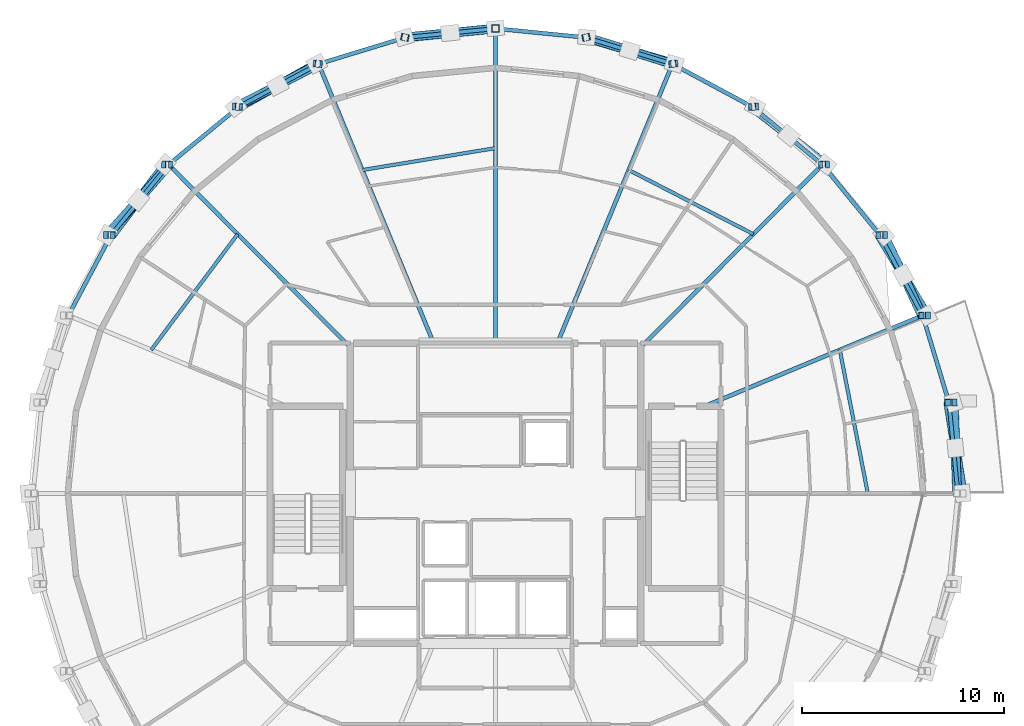
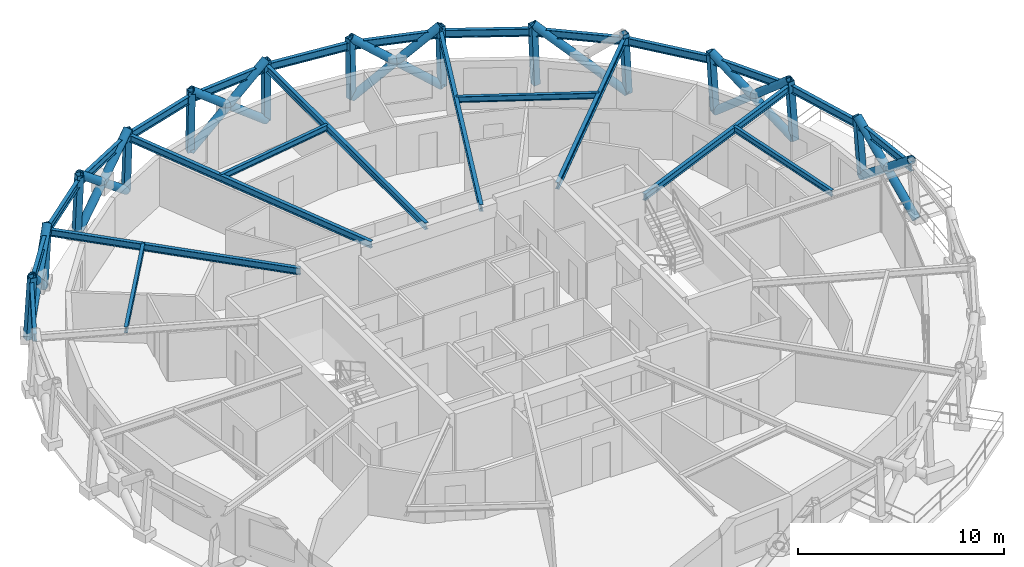
# One storey, part 5 of 12: 32 members, 24 beams.
"""IFC4 building model written with IfcOpenShell, lengths in metres."""

from ifc_helpers import new_model, si_unit, direction, frame, origin, origin_2d, place, context, subcontext, project, spatial, hollow_rectangle, hollow_circle, i_section, extrude, material, material_profile, profile_set, type_object, element, save


model = new_model("IFC4")

# Units and contexts
model_context = context("Model", 3, precision=1e-05, world=origin(), true_north=direction((0.0, 1.0)))
body_context = subcontext(model_context, "Body", "Model", "MODEL_VIEW")
ifc_project = project(units=[si_unit("LENGTHUNIT", "METRE"), si_unit("AREAUNIT", "SQUARE_METRE"), si_unit("VOLUMEUNIT", "CUBIC_METRE"), si_unit("PLANEANGLEUNIT", "RADIAN"), si_unit("MASSUNIT", "GRAM", prefix="KILO")], contexts=[model_context])

# Site, building, storey
site_placement = place(None, origin())
site = spatial("IfcSite", under=ifc_project, at=site_placement, CompositionType="ELEMENT")
building_placement = place(site_placement, origin())
building = spatial("IfcBuilding", under=site, at=building_placement, Name="Veldorina Hangang Commons", CompositionType="ELEMENT")
storey_placement = place(building_placement, frame((0.0, 0.0, 247.199951171875)))
storey = spatial("IfcBuildingStorey", under=building, at=storey_placement, Name="L64", CompositionType="ELEMENT", Elevation=247.199951171875)

# Beams
ifc_material = material(Name="Steel SM355-TMC", Category="steel")
ifc_material_profile_1 = material_profile(ifc_material, i_section(OverallWidth=0.199951171875, OverallDepth=0.39990234375, WebThickness=0.008056640625, FlangeThickness=0.012939453125, FilletRadius=0.012939453125, at=origin_2d()), Name="H-400x200x8x13")
ifc_profile_set_1 = profile_set([ifc_material_profile_1], Name="Steel SM355-TMC")
beam_type_1 = type_object("IfcBeamType", Name="BM-FG400", PredefinedType="BEAM", material=ifc_profile_set_1)
beam_1_placement = place(storey_placement, frame((42.375732421875, 28.320068359375, 3.16015625), z_axis=(0.923178591009, 0.384371290685, 0.0), x_axis=(-0.384371290685, 0.923178591009, 0.0)))
element("IfcBeam", 1, at=beam_1_placement, inside=storey, type_object=beam_type_1, Name="L64 radial floor girder 02", PredefinedType="BEAM", context=body_context, shape_type="SweptSolid", body=[
    extrude(i_section(OverallWidth=0.199951171875, OverallDepth=0.39990234375, WebThickness=0.008056640625, FlangeThickness=0.012939453125, FilletRadius=0.012939453125, at=origin_2d()), origin(), (0.0, 0.0, 1.0), 11.71875),
])
beam_2_placement = place(storey_placement, frame((39.199951171875, 31.2373046875, 3.16015625), z_axis=(0.705281678019, 0.708927185718, 0.0), x_axis=(-0.708927185718, 0.705281678019, 0.0)))
element("IfcBeam", 2, at=beam_2_placement, inside=storey, type_object=beam_type_1, Name="L64 radial floor girder 03", PredefinedType="BEAM", context=body_context, shape_type="SweptSolid", body=[
    extrude(i_section(OverallWidth=0.199951171875, OverallDepth=0.39990234375, WebThickness=0.008056640625, FlangeThickness=0.012939453125, FilletRadius=0.012939453125, at=origin_2d()), origin(), (0.0, 0.0, 1.0), 12.791259765625),
])
beam_3_placement = place(storey_placement, frame((35.070068359375, 31.449951171875, 3.16015625), z_axis=(0.381006292102, 0.924572444635, 0.0), x_axis=(-0.924572444635, 0.381006292102, 0.0)))
element("IfcBeam", 3, at=beam_3_placement, inside=storey, type_object=beam_type_1, Name="L64 radial floor girder 04", PredefinedType="BEAM", context=body_context, shape_type="SweptSolid", body=[
    extrude(i_section(OverallWidth=0.199951171875, OverallDepth=0.39990234375, WebThickness=0.008056640625, FlangeThickness=0.012939453125, FilletRadius=0.012939453125, at=origin_2d()), origin(), (0.0, 0.0, 1.0), 14.98388671875),
])
beam_4_placement = place(storey_placement, frame((32.0, 31.449951171875, 3.16015625), z_axis=(0.0, 1.0, 0.0), x_axis=(-1.0, 0.0, 0.0)))
element("IfcBeam", 4, at=beam_4_placement, inside=storey, type_object=beam_type_1, Name="L64 radial floor girder 05", PredefinedType="BEAM", context=body_context, shape_type="SweptSolid", body=[
    extrude(i_section(OverallWidth=0.199951171875, OverallDepth=0.39990234375, WebThickness=0.008056640625, FlangeThickness=0.012939453125, FilletRadius=0.012939453125, at=origin_2d()), origin(), (0.0, 0.0, 1.0), 15.609130859375),
])
beam_5_placement = place(storey_placement, frame((28.929931640625, 31.449951171875, 3.16015625), z_axis=(-0.381006292102, 0.924572444635, 0.0), x_axis=(-0.924572444635, -0.381006292102, 0.0)))
element("IfcBeam", 5, at=beam_5_placement, inside=storey, type_object=beam_type_1, Name="L64 radial floor girder 06", PredefinedType="BEAM", context=body_context, shape_type="SweptSolid", body=[
    extrude(i_section(OverallWidth=0.199951171875, OverallDepth=0.39990234375, WebThickness=0.008056640625, FlangeThickness=0.012939453125, FilletRadius=0.012939453125, at=origin_2d()), origin(), (0.0, 0.0, 1.0), 14.98388671875),
])
beam_6_placement = place(storey_placement, frame((24.800048828125, 31.2373046875, 3.16015625), z_axis=(-0.705281678019, 0.708927185718, 0.0), x_axis=(-0.708927185718, -0.705281678019, 0.0)))
element("IfcBeam", 6, at=beam_6_placement, inside=storey, type_object=beam_type_1, Name="L64 radial floor girder 07", PredefinedType="BEAM", context=body_context, shape_type="SweptSolid", body=[
    extrude(i_section(OverallWidth=0.199951171875, OverallDepth=0.39990234375, WebThickness=0.008056640625, FlangeThickness=0.012939453125, FilletRadius=0.012939453125, at=origin_2d()), origin(), (0.0, 0.0, 1.0), 12.791259765625),
])
ifc_material_profile_2 = material_profile(ifc_material, i_section(OverallWidth=0.175048828125, OverallDepth=0.35009765625, WebThickness=0.007080078125, FlangeThickness=0.010986328125, FilletRadius=0.012939453125, at=origin_2d()), Name="H-350x175x7x11")
ifc_profile_set_2 = profile_set([ifc_material_profile_2], Name="Steel SM355-TMC")
beam_type_2 = type_object("IfcBeamType", Name="BM-JST350", PredefinedType="JOIST", material=ifc_profile_set_2)
beam_7_placement = place(storey_placement, frame((50.4716796875, 24.0, 3.18505859375), z_axis=(-0.191585554308, 0.981475916862, 0.0), x_axis=(-0.981475916862, -0.191585554308, 0.0)))
element("IfcBeam", 7, at=beam_7_placement, inside=storey, type_object=beam_type_2, Name="L64 secondary floor joist 01", PredefinedType="JOIST", context=body_context, shape_type="SweptSolid", body=[
    extrude(i_section(OverallWidth=0.175048828125, OverallDepth=0.35009765625, WebThickness=0.007080078125, FlangeThickness=0.010986328125, FilletRadius=0.012939453125, at=origin_2d()), origin(), (0.0, 0.0, 1.0), 7.2470703125),
])
beam_8_placement = place(storey_placement, frame((44.793212890625, 36.859375, 3.18505859375), z_axis=(-0.889299634242, 0.45732500537, 0.0), x_axis=(-0.45732500537, -0.889299634242, 0.0)))
element("IfcBeam", 8, at=beam_8_placement, inside=storey, type_object=beam_type_2, Name="L64 secondary floor joist 03", PredefinedType="JOIST", context=body_context, shape_type="SweptSolid", body=[
    extrude(i_section(OverallWidth=0.175048828125, OverallDepth=0.35009765625, WebThickness=0.007080078125, FlangeThickness=0.010986328125, FilletRadius=0.012939453125, at=origin_2d()), origin(), (0.0, 0.0, 1.0), 6.953369140625),
])
beam_9_placement = place(storey_placement, frame((32.0, 41.127685546875, 3.18505859375), z_axis=(-0.986712190515, -0.162477854147, 0.0), x_axis=(0.162477854147, -0.986712190515, 0.0)))
element("IfcBeam", 9, at=beam_9_placement, inside=storey, type_object=beam_type_2, Name="L64 secondary floor joist 05", PredefinedType="JOIST", context=body_context, shape_type="SweptSolid", body=[
    extrude(i_section(OverallWidth=0.175048828125, OverallDepth=0.35009765625, WebThickness=0.007080078125, FlangeThickness=0.010986328125, FilletRadius=0.012939453125, at=origin_2d()), origin(), (0.0, 0.0, 1.0), 6.69873046875),
])
beam_10_placement = place(storey_placement, frame((19.206787109375, 36.859375, 3.18505859375), z_axis=(-0.59822278208, -0.801329834088, 0.0), x_axis=(0.801329834088, -0.59822278208, 0.0)))
element("IfcBeam", 10, at=beam_10_placement, inside=storey, type_object=beam_type_2, Name="L64 secondary floor joist 07", PredefinedType="JOIST", context=body_context, shape_type="SweptSolid", body=[
    extrude(i_section(OverallWidth=0.175048828125, OverallDepth=0.35009765625, WebThickness=0.007080078125, FlangeThickness=0.010986328125, FilletRadius=0.012939453125, at=origin_2d()), origin(), (0.0, 0.0, 1.0), 7.17138671875),
])
ifc_material_profile_3 = material_profile(ifc_material, i_section(OverallWidth=0.199951171875, OverallDepth=0.449951171875, WebThickness=0.009033203125, FlangeThickness=0.013916015625, FilletRadius=0.01611328125, at=origin_2d()), Name="H-450x200x9x14")
ifc_profile_set_3 = profile_set([ifc_material_profile_3], Name="Steel SM355-TMC")
beam_type_3 = type_object("IfcBeamType", Name="BM-RB450", PredefinedType="BEAM", material=ifc_profile_set_3)
beam_11_placement = place(storey_placement, frame((54.940673828125, 24.0, 3.135009765625), z_axis=(-0.097492749618, 0.995236235158, 0.0), x_axis=(-0.995236235158, -0.097492749618, 0.0)))
element("IfcBeam", 11, at=beam_11_placement, inside=storey, type_object=beam_type_3, Name="L64 perimeter hoop ring beam 00", PredefinedType="BEAM", context=body_context, shape_type="SweptSolid", body=[
    extrude(i_section(OverallWidth=0.199951171875, OverallDepth=0.449951171875, WebThickness=0.009033203125, FlangeThickness=0.013916015625, FilletRadius=0.01611328125, at=origin_2d()), origin(), (0.0, 0.0, 1.0), 4.52001953125),
])
beam_12_placement = place(storey_placement, frame((54.5, 28.49853515625, 3.135009765625), z_axis=(-0.288948534971, 0.957344631853, 0.0), x_axis=(-0.957344631853, -0.288948534971, 0.0)))
element("IfcBeam", 12, at=beam_12_placement, inside=storey, type_object=beam_type_3, Name="L64 perimeter hoop ring beam 01", PredefinedType="BEAM", context=body_context, shape_type="SweptSolid", body=[
    extrude(i_section(OverallWidth=0.199951171875, OverallDepth=0.449951171875, WebThickness=0.009033203125, FlangeThickness=0.013916015625, FilletRadius=0.01611328125, at=origin_2d()), origin(), (0.0, 0.0, 1.0), 4.5185546875),
])
beam_13_placement = place(storey_placement, frame((53.1943359375, 32.824462890625, 3.135009765625), z_axis=(-0.469501773774, 0.882931528729, 0.0), x_axis=(-0.882931528729, -0.469501773774, 0.0)))
element("IfcBeam", 13, at=beam_13_placement, inside=storey, type_object=beam_type_3, Name="L64 perimeter hoop ring beam 02", PredefinedType="BEAM", context=body_context, shape_type="SweptSolid", body=[
    extrude(i_section(OverallWidth=0.199951171875, OverallDepth=0.449951171875, WebThickness=0.009033203125, FlangeThickness=0.013916015625, FilletRadius=0.01611328125, at=origin_2d()), origin(), (0.0, 0.0, 1.0), 4.51513671875),
])
beam_14_placement = place(storey_placement, frame((51.074462890625, 36.81103515625, 3.135009765625), z_axis=(-0.632438790729, 0.774610338158, 0.0), x_axis=(-0.774610338158, -0.632438790729, 0.0)))
element("IfcBeam", 14, at=beam_14_placement, inside=storey, type_object=beam_type_3, Name="L64 perimeter hoop ring beam 03", PredefinedType="BEAM", context=body_context, shape_type="SweptSolid", body=[
    extrude(i_section(OverallWidth=0.199951171875, OverallDepth=0.449951171875, WebThickness=0.009033203125, FlangeThickness=0.013916015625, FilletRadius=0.01611328125, at=origin_2d()), origin(), (0.0, 0.0, 1.0), 4.51123046875),
])
beam_15_placement = place(storey_placement, frame((48.221435546875, 40.305419921875, 3.135009765625), z_axis=(-0.771404525715, 0.636345077537, 0.0), x_axis=(-0.636345077537, -0.771404525715, 0.0)))
element("IfcBeam", 15, at=beam_15_placement, inside=storey, type_object=beam_type_3, Name="L64 perimeter hoop ring beam 04", PredefinedType="BEAM", context=body_context, shape_type="SweptSolid", body=[
    extrude(i_section(OverallWidth=0.199951171875, OverallDepth=0.449951171875, WebThickness=0.009033203125, FlangeThickness=0.013916015625, FilletRadius=0.01611328125, at=origin_2d()), origin(), (0.0, 0.0, 1.0), 4.506591796875),
])
beam_16_placement = place(storey_placement, frame((44.7451171875, 43.173095703125, 3.135009765625), z_axis=(-0.880930378458, 0.473245885676, 0.0), x_axis=(-0.473245885676, -0.880930378458, 0.0)))
element("IfcBeam", 16, at=beam_16_placement, inside=storey, type_object=beam_type_3, Name="L64 perimeter hoop ring beam 05", PredefinedType="BEAM", context=body_context, shape_type="SweptSolid", body=[
    extrude(i_section(OverallWidth=0.199951171875, OverallDepth=0.449951171875, WebThickness=0.009033203125, FlangeThickness=0.013916015625, FilletRadius=0.01611328125, at=origin_2d()), origin(), (0.0, 0.0, 1.0), 4.502197265625),
])
beam_17_placement = place(storey_placement, frame((40.779052734375, 45.3037109375, 3.135009765625), z_axis=(-0.956503509686, 0.291720818521, 0.0), x_axis=(-0.291720818521, -0.956503509686, 0.0)))
element("IfcBeam", 17, at=beam_17_placement, inside=storey, type_object=beam_type_3, Name="L64 perimeter hoop ring beam 06", PredefinedType="BEAM", context=body_context, shape_type="SweptSolid", body=[
    extrude(i_section(OverallWidth=0.199951171875, OverallDepth=0.449951171875, WebThickness=0.009033203125, FlangeThickness=0.013916015625, FilletRadius=0.01611328125, at=origin_2d()), origin(), (0.0, 0.0, 1.0), 4.499267578125),
])
for number, where, z_axis, x_axis, name in (
    (18, (36.4755859375, 46.6162109375, 3.135009765625), (-0.995139849028, 0.098471726278, 0.0), (-0.098471726278, -0.995139849028, 0.0), "L64 perimeter hoop ring beam 07"),
    (19, (32.0, 47.05908203125, 3.135009765625), (-0.995139849028, -0.098471726278, 0.0), (0.098471726278, -0.995139849028, 0.0), "L64 perimeter hoop ring beam 08"),
):
    element("IfcBeam", number, at=place(storey_placement, frame(where, z_axis=z_axis, x_axis=x_axis)), inside=storey, type_object=beam_type_3, Name=name, PredefinedType="BEAM", context=body_context, shape_type="SweptSolid", body=[
        extrude(i_section(OverallWidth=0.199951171875, OverallDepth=0.449951171875, WebThickness=0.009033203125, FlangeThickness=0.013916015625, FilletRadius=0.01611328125, at=origin_2d()), origin(), (0.0, 0.0, 1.0), 4.49755859375),
    ])
beam_18_placement = place(storey_placement, frame((27.5244140625, 46.6162109375, 3.135009765625), z_axis=(-0.956503509686, -0.291720818521, 0.0), x_axis=(0.291720818521, -0.956503509686, 0.0)))
element("IfcBeam", 20, at=beam_18_placement, inside=storey, type_object=beam_type_3, Name="L64 perimeter hoop ring beam 09", PredefinedType="BEAM", context=body_context, shape_type="SweptSolid", body=[
    extrude(i_section(OverallWidth=0.199951171875, OverallDepth=0.449951171875, WebThickness=0.009033203125, FlangeThickness=0.013916015625, FilletRadius=0.01611328125, at=origin_2d()), origin(), (0.0, 0.0, 1.0), 4.499267578125),
])
beam_19_placement = place(storey_placement, frame((23.220947265625, 45.3037109375, 3.135009765625), z_axis=(-0.880930378458, -0.473245885676, 0.0), x_axis=(0.473245885676, -0.880930378458, 0.0)))
element("IfcBeam", 21, at=beam_19_placement, inside=storey, type_object=beam_type_3, Name="L64 perimeter hoop ring beam 10", PredefinedType="BEAM", context=body_context, shape_type="SweptSolid", body=[
    extrude(i_section(OverallWidth=0.199951171875, OverallDepth=0.449951171875, WebThickness=0.009033203125, FlangeThickness=0.013916015625, FilletRadius=0.01611328125, at=origin_2d()), origin(), (0.0, 0.0, 1.0), 4.502197265625),
])
beam_20_placement = place(storey_placement, frame((19.2548828125, 43.173095703125, 3.135009765625), z_axis=(-0.771404525715, -0.636345077537, 0.0), x_axis=(0.636345077537, -0.771404525715, 0.0)))
element("IfcBeam", 22, at=beam_20_placement, inside=storey, type_object=beam_type_3, Name="L64 perimeter hoop ring beam 11", PredefinedType="BEAM", context=body_context, shape_type="SweptSolid", body=[
    extrude(i_section(OverallWidth=0.199951171875, OverallDepth=0.449951171875, WebThickness=0.009033203125, FlangeThickness=0.013916015625, FilletRadius=0.01611328125, at=origin_2d()), origin(), (0.0, 0.0, 1.0), 4.506591796875),
])
beam_21_placement = place(storey_placement, frame((15.778564453125, 40.305419921875, 3.135009765625), z_axis=(-0.632438790729, -0.774610338158, 0.0), x_axis=(0.774610338158, -0.632438790729, 0.0)))
element("IfcBeam", 23, at=beam_21_placement, inside=storey, type_object=beam_type_3, Name="L64 perimeter hoop ring beam 12", PredefinedType="BEAM", context=body_context, shape_type="SweptSolid", body=[
    extrude(i_section(OverallWidth=0.199951171875, OverallDepth=0.449951171875, WebThickness=0.009033203125, FlangeThickness=0.013916015625, FilletRadius=0.01611328125, at=origin_2d()), origin(), (0.0, 0.0, 1.0), 4.51123046875),
])
beam_22_placement = place(storey_placement, frame((12.925537109375, 36.81103515625, 3.135009765625), z_axis=(-0.469501773774, -0.882931528729, 0.0), x_axis=(0.882931528729, -0.469501773774, 0.0)))
element("IfcBeam", 24, at=beam_22_placement, inside=storey, type_object=beam_type_3, Name="L64 perimeter hoop ring beam 13", PredefinedType="BEAM", context=body_context, shape_type="SweptSolid", body=[
    extrude(i_section(OverallWidth=0.199951171875, OverallDepth=0.449951171875, WebThickness=0.009033203125, FlangeThickness=0.013916015625, FilletRadius=0.01611328125, at=origin_2d()), origin(), (0.0, 0.0, 1.0), 4.51513671875),
])

# Members
ifc_material_profile_4 = material_profile(ifc_material, hollow_circle(Radius=0.22509765625, WallThickness=0.02197265625, at=origin_2d()), Name="CHS-450x22")
ifc_profile_set_4 = profile_set([ifc_material_profile_4], Name="Steel SM355-TMC")
member_type_1 = type_object("IfcMemberType", Name="DG-CHS450", PredefinedType="BRACE", material=ifc_profile_set_4)
member_1_placement = place(storey_placement, frame((55.1796875, 24.0, 0.0), z_axis=(-0.123086184474, 0.774807977084, 0.620098693627), x_axis=(-0.987615628914, -0.156892860018, 0.0)))
element("IfcMember", 25, at=member_1_placement, inside=storey, type_object=member_type_1, Name="L64 continuous perimeter diagrid brace 00", PredefinedType="BRACE", context=body_context, shape_type="SweptSolid", body=[
    extrude(hollow_circle(Radius=0.22509765625, WallThickness=0.02197265625, at=origin_2d()), origin(), (0.0, 0.0, 1.0), 5.8056640625),
])
member_2_placement = place(storey_placement, frame((54.734375, 28.500732421875, 0.0), z_axis=(0.030478917747, -0.780514285298, 0.624394495506), x_axis=(0.999238427882, 0.03902004925, 0.0)))
element("IfcMember", 26, at=member_2_placement, inside=storey, type_object=member_type_1, Name="L64 split perimeter diagrid lower brace 01", PredefinedType="BRACE", context=body_context, shape_type="SweptSolid", body=[
    extrude(hollow_circle(Radius=0.22509765625, WallThickness=0.02197265625, at=origin_2d()), origin(), (0.0, 0.0, 1.0), 2.883544921875),
])
member_3_placement = place(storey_placement, frame((54.822265625, 26.25, 1.800537109375), z_axis=(0.028798888842, -0.78061929284, 0.624342969567), x_axis=(0.999320170727, 0.036867280604, 0.0)))
element("IfcMember", 27, at=member_3_placement, inside=storey, type_object=member_type_1, Name="L64 split perimeter diagrid upper brace 01", PredefinedType="BRACE", context=body_context, shape_type="SweptSolid", body=[
    extrude(hollow_circle(Radius=0.22509765625, WallThickness=0.02197265625, at=origin_2d()), origin(), (0.0, 0.0, 1.0), 2.88232421875),
])
member_4_placement = place(storey_placement, frame((53.415283203125, 32.828369140625, 0.0), z_axis=(-0.403948564885, 0.67854538518, 0.613515865465), x_axis=(-0.859263661754, -0.511532950639, 0.0)))
element("IfcMember", 28, at=member_4_placement, inside=storey, type_object=member_type_1, Name="L64 continuous perimeter diagrid brace 02", PredefinedType="BRACE", context=body_context, shape_type="SweptSolid", body=[
    extrude(hollow_circle(Radius=0.22509765625, WallThickness=0.02197265625, at=origin_2d()), origin(), (0.0, 0.0, 1.0), 5.867919921875),
])
member_5_placement = place(storey_placement, frame((51.273193359375, 36.81689453125, 0.0), z_axis=(0.334742991201, -0.699092596654, 0.631835952717), x_axis=(0.901936092999, 0.431869522131, 0.0)))
element("IfcMember", 29, at=member_5_placement, inside=storey, type_object=member_type_1, Name="L64 split perimeter diagrid lower brace 03", PredefinedType="BRACE", context=body_context, shape_type="SweptSolid", body=[
    extrude(hollow_circle(Radius=0.22509765625, WallThickness=0.02197265625, at=origin_2d()), origin(), (0.0, 0.0, 1.0), 2.853271484375),
])
member_6_placement = place(storey_placement, frame((52.228271484375, 34.822265625, 1.802734375), z_axis=(0.32803070001, -0.702395843652, 0.63169291485), x_axis=(0.906061511413, 0.42314600026, 0.0)))
element("IfcMember", 30, at=member_6_placement, inside=storey, type_object=member_type_1, Name="L64 split perimeter diagrid upper brace 03", PredefinedType="BRACE", context=body_context, shape_type="SweptSolid", body=[
    extrude(hollow_circle(Radius=0.22509765625, WallThickness=0.02197265625, at=origin_2d()), origin(), (0.0, 0.0, 1.0), 2.84521484375),
])
member_7_placement = place(storey_placement, frame((48.390625, 40.312744140625, 0.0), z_axis=(-0.623403044533, 0.486248561346, 0.612316079044), x_axis=(-0.61502722705, -0.788505871879, 0.0)))
element("IfcMember", 31, at=member_7_placement, inside=storey, type_object=member_type_1, Name="L64 continuous perimeter diagrid brace 04", PredefinedType="BRACE", context=body_context, shape_type="SweptSolid", body=[
    extrude(hollow_circle(Radius=0.22509765625, WallThickness=0.02197265625, at=origin_2d()), origin(), (0.0, 0.0, 1.0), 5.87939453125),
])
member_8_placement = place(storey_placement, frame((40.87060546875, 45.313720703125, 0.0), z_axis=(-0.754607525276, 0.222979806703, 0.617128421481), x_axis=(-0.283378381306, -0.95900818193, 0.0)))
element("IfcMember", 32, at=member_8_placement, inside=storey, type_object=member_type_1, Name="L64 continuous perimeter diagrid brace 06", PredefinedType="BRACE", context=body_context, shape_type="SweptSolid", body=[
    extrude(hollow_circle(Radius=0.22509765625, WallThickness=0.02197265625, at=origin_2d()), origin(), (0.0, 0.0, 1.0), 5.833740234375),
])
member_9_placement = place(storey_placement, frame((36.522216796875, 46.62646484375, 0.0), z_axis=(0.742523172408, -0.229056427985, 0.629438234648), x_axis=(0.294776751889, 0.955566149749, 0.0)))
element("IfcMember", 33, at=member_9_placement, inside=storey, type_object=member_type_1, Name="L64 split perimeter diagrid lower brace 07", PredefinedType="BRACE", context=body_context, shape_type="SweptSolid", body=[
    extrude(hollow_circle(Radius=0.22509765625, WallThickness=0.02197265625, at=origin_2d()), origin(), (0.0, 0.0, 1.0), 2.875732421875),
])
member_10_placement = place(storey_placement, frame((38.657470703125, 45.9677734375, 1.81005859375), z_axis=(0.741095936072, -0.233899284896, 0.629339286921), x_axis=(0.300978068535, 0.953631061921, 0.0)))
element("IfcMember", 34, at=member_10_placement, inside=storey, type_object=member_type_1, Name="L64 split perimeter diagrid upper brace 07", PredefinedType="BRACE", context=body_context, shape_type="SweptSolid", body=[
    extrude(hollow_circle(Radius=0.22509765625, WallThickness=0.02197265625, at=origin_2d()), origin(), (0.0, 0.0, 1.0), 2.84423828125),
])
member_11_placement = place(storey_placement, frame((32.0, 47.069580078125, 0.0), z_axis=(-0.776276771364, -0.07905697983, 0.625415356528), x_axis=(0.101317171143, -0.994854175662, 0.0)))
element("IfcMember", 35, at=member_11_placement, inside=storey, type_object=member_type_1, Name="L64 continuous perimeter diagrid brace 08", PredefinedType="BRACE", context=body_context, shape_type="SweptSolid", body=[
    extrude(hollow_circle(Radius=0.22509765625, WallThickness=0.02197265625, at=origin_2d()), origin(), (0.0, 0.0, 1.0), 5.75634765625),
])
member_12_placement = place(storey_placement, frame((27.477783203125, 46.62646484375, 0.0), z_axis=(0.780288623516, 0.073531545717, 0.62108193968), x_axis=(-0.093820676256, 0.995589112389, 0.0)))
element("IfcMember", 36, at=member_12_placement, inside=storey, type_object=member_type_1, Name="L64 split perimeter diagrid lower brace 09", PredefinedType="BRACE", context=body_context, shape_type="SweptSolid", body=[
    extrude(hollow_circle(Radius=0.22509765625, WallThickness=0.02197265625, at=origin_2d()), origin(), (0.0, 0.0, 1.0), 2.9150390625),
])
member_13_placement = place(storey_placement, frame((29.75244140625, 46.8408203125, 1.810546875), z_axis=(0.780091396655, 0.075246704348, 0.621124259991), x_axis=(-0.096013197286, 0.995380061056, 0.0)))
element("IfcMember", 37, at=member_13_placement, inside=storey, type_object=member_type_1, Name="L64 split perimeter diagrid upper brace 09", PredefinedType="BRACE", context=body_context, shape_type="SweptSolid", body=[
    extrude(hollow_circle(Radius=0.22509765625, WallThickness=0.02197265625, at=origin_2d()), origin(), (0.0, 0.0, 1.0), 2.881103515625),
])
member_14_placement = place(storey_placement, frame((23.12939453125, 45.313720703125, 0.0), z_axis=(-0.677122001627, -0.37627895638, 0.63239223738), x_axis=(0.485741638648, -0.874102431345, 0.0)))
element("IfcMember", 38, at=member_14_placement, inside=storey, type_object=member_type_1, Name="L64 continuous perimeter diagrid brace 10", PredefinedType="BRACE", context=body_context, shape_type="SweptSolid", body=[
    extrude(hollow_circle(Radius=0.22509765625, WallThickness=0.02197265625, at=origin_2d()), origin(), (0.0, 0.0, 1.0), 5.69287109375),
])
member_15_placement = place(storey_placement, frame((19.1220703125, 43.181884765625, 0.0), z_axis=(0.703210372248, 0.358444141177, 0.614013819078), x_axis=(-0.454131872903, 0.890934476835, 0.0)))
element("IfcMember", 39, at=member_15_placement, inside=storey, type_object=member_type_1, Name="L64 split perimeter diagrid lower brace 11", PredefinedType="BRACE", context=body_context, shape_type="SweptSolid", body=[
    extrude(hollow_circle(Radius=0.22509765625, WallThickness=0.02197265625, at=origin_2d()), origin(), (0.0, 0.0, 1.0), 2.945068359375),
])
member_16_placement = place(storey_placement, frame((21.193115234375, 44.237548828125, 1.808349609375), z_axis=(0.699728107359, 0.365010045958, 0.614123963156), x_axis=(-0.462500780744, 0.886618874044, 0.0)))
element("IfcMember", 40, at=member_16_placement, inside=storey, type_object=member_type_1, Name="L64 split perimeter diagrid upper brace 11", PredefinedType="BRACE", context=body_context, shape_type="SweptSolid", body=[
    extrude(hollow_circle(Radius=0.22509765625, WallThickness=0.02197265625, at=origin_2d()), origin(), (0.0, 0.0, 1.0), 2.91748046875),
])
member_17_placement = place(storey_placement, frame((15.609375, 40.312744140625, 0.0), z_axis=(-0.467216001844, -0.61655150648, 0.63369823061), x_axis=(0.797010303136, -0.603965708211, 0.0)))
element("IfcMember", 41, at=member_17_placement, inside=storey, type_object=member_type_1, Name="L64 continuous perimeter diagrid brace 12", PredefinedType="BRACE", context=body_context, shape_type="SweptSolid", body=[
    extrude(hollow_circle(Radius=0.22509765625, WallThickness=0.02197265625, at=origin_2d()), origin(), (0.0, 0.0, 1.0), 5.68115234375),
])
member_18_placement = place(storey_placement, frame((12.726806640625, 36.81689453125, 0.0), z_axis=(0.526384510264, 0.590143527553, 0.61208656597), x_axis=(-0.746270129656, 0.665643217935, 0.0)))
element("IfcMember", 42, at=member_18_placement, inside=storey, type_object=member_type_1, Name="L64 split perimeter diagrid lower brace 13", PredefinedType="BRACE", context=body_context, shape_type="SweptSolid", body=[
    extrude(hollow_circle(Radius=0.22509765625, WallThickness=0.02197265625, at=origin_2d()), origin(), (0.0, 0.0, 1.0), 2.948486328125),
])
member_19_placement = place(storey_placement, frame((14.27880859375, 38.556884765625, 1.8046875), z_axis=(0.519928967609, 0.59576234729, 0.612161003489), x_axis=(-0.753430346806, 0.657527727561, 0.0)))
element("IfcMember", 43, at=member_19_placement, inside=storey, type_object=member_type_1, Name="L64 split perimeter diagrid upper brace 13", PredefinedType="BRACE", context=body_context, shape_type="SweptSolid", body=[
    extrude(hollow_circle(Radius=0.22509765625, WallThickness=0.02197265625, at=origin_2d()), origin(), (0.0, 0.0, 1.0), 2.932861328125),
])
ifc_material_profile_5 = material_profile(ifc_material, hollow_rectangle(XDim=0.35009765625, YDim=0.35009765625, WallThickness=0.01611328125, at=origin_2d()), Name="SHS-350x350x16")
ifc_profile_set_5 = profile_set([ifc_material_profile_5], Name="Steel SM355-TMC")
member_type_2 = type_object("IfcMemberType", Name="STR-SHS350", PredefinedType="STRUT", material=ifc_profile_set_5)
member_20_placement = place(storey_placement, frame((54.734375, 28.500732421875, 0.0), z_axis=(-0.074591548664, -0.000676260641, 0.997213940707), x_axis=(0.009065810559, -0.999958904695, 0.0)))
element("IfcMember", 44, at=member_20_placement, inside=storey, type_object=member_type_2, Name="L64 perimeter ring node post 01", PredefinedType="STRUT", context=body_context, shape_type="SweptSolid", body=[
    extrude(hollow_rectangle(XDim=0.35009765625, YDim=0.35009765625, WallThickness=0.01611328125, at=origin_2d()), origin(), (0.0, 0.0, 1.0), 3.610107421875),
])
member_21_placement = place(storey_placement, frame((53.415283203125, 32.828369140625, 0.0), z_axis=(-0.070285474531, -0.001285297417, 0.997526089925), x_axis=(0.018283757387, -0.999832838136, 0.0)))
element("IfcMember", 45, at=member_21_placement, inside=storey, type_object=member_type_2, Name="L64 perimeter ring node post 02", PredefinedType="STRUT", context=body_context, shape_type="SweptSolid", body=[
    extrude(hollow_rectangle(XDim=0.35009765625, YDim=0.35009765625, WallThickness=0.01611328125, at=origin_2d()), origin(), (0.0, 0.0, 1.0), 3.609130859375),
])
member_22_placement = place(storey_placement, frame((51.273193359375, 36.81689453125, 0.0), z_axis=(-0.063279832655, -0.001895011031, 0.997994023886), x_axis=(0.029933105153, -0.999551904213, 0.0)))
element("IfcMember", 46, at=member_22_placement, inside=storey, type_object=member_type_2, Name="L64 perimeter ring node post 03", PredefinedType="STRUT", context=body_context, shape_type="SweptSolid", body=[
    extrude(hollow_rectangle(XDim=0.35009765625, YDim=0.35009765625, WallThickness=0.01611328125, at=origin_2d()), origin(), (0.0, 0.0, 1.0), 3.607421875),
])
member_23_placement = place(storey_placement, frame((48.390625, 40.312744140625, 0.0), z_axis=(-0.053902112824, -0.002370067775, 0.998543411681), x_axis=(0.043927406277, -0.999034725612, 0.0)))
element("IfcMember", 47, at=member_23_placement, inside=storey, type_object=member_type_2, Name="L64 perimeter ring node post 04", PredefinedType="STRUT", context=body_context, shape_type="SweptSolid", body=[
    extrude(hollow_rectangle(XDim=0.35009765625, YDim=0.35009765625, WallThickness=0.01611328125, at=origin_2d()), origin(), (0.0, 0.0, 1.0), 3.60546875),
])
member_24_placement = place(storey_placement, frame((44.8779296875, 43.181884765625, 0.0), z_axis=(-0.04234618479, -0.002845663618, 0.999098945467), x_axis=(0.067048779749, -0.997749698639, 0.0)))
element("IfcMember", 48, at=member_24_placement, inside=storey, type_object=member_type_2, Name="L64 perimeter ring node post 05", PredefinedType="STRUT", context=body_context, shape_type="SweptSolid", body=[
    extrude(hollow_rectangle(XDim=0.35009765625, YDim=0.35009765625, WallThickness=0.01611328125, at=origin_2d()), origin(), (0.0, 0.0, 1.0), 3.603271484375),
])
member_25_placement = place(storey_placement, frame((40.87060546875, 45.313720703125, 0.0), z_axis=(-0.029215646526, -0.003118143249, 0.999568268394), x_axis=(0.106125811292, -0.994352710147, 0.0)))
element("IfcMember", 49, at=member_25_placement, inside=storey, type_object=member_type_2, Name="L64 perimeter ring node post 06", PredefinedType="STRUT", context=body_context, shape_type="SweptSolid", body=[
    extrude(hollow_rectangle(XDim=0.35009765625, YDim=0.35009765625, WallThickness=0.01611328125, at=origin_2d()), origin(), (0.0, 0.0, 1.0), 3.6015625),
])
member_26_placement = place(storey_placement, frame((36.522216796875, 46.62646484375, 0.0), z_axis=(-0.014917557676, -0.003322546937, 0.999883206757), x_axis=(0.217400205052, -0.976082553293, 0.0)))
element("IfcMember", 50, at=member_26_placement, inside=storey, type_object=member_type_2, Name="L64 perimeter ring node post 07", PredefinedType="STRUT", context=body_context, shape_type="SweptSolid", body=[
    extrude(hollow_rectangle(XDim=0.35009765625, YDim=0.35009765625, WallThickness=0.01611328125, at=origin_2d()), origin(), (0.0, 0.0, 1.0), 3.6005859375),
])
member_27_placement = place(storey_placement, frame((32.0, 47.069580078125, 0.0), z_axis=(0.0, -0.003322916688, 0.999994479097), x_axis=(1.0, 0.0, 0.0)))
element("IfcMember", 51, at=member_27_placement, inside=storey, type_object=member_type_2, Name="L64 perimeter ring node post 08", PredefinedType="STRUT", context=body_context, shape_type="SweptSolid", body=[
    extrude(hollow_rectangle(XDim=0.35009765625, YDim=0.35009765625, WallThickness=0.01611328125, at=origin_2d()), origin(), (0.0, 0.0, 1.0), 3.60009765625),
])
member_28_placement = place(storey_placement, frame((27.477783203125, 46.62646484375, 0.0), z_axis=(0.014917557676, -0.003322546937, 0.999883206757), x_axis=(0.217400205052, 0.976082553293, 0.0)))
element("IfcMember", 52, at=member_28_placement, inside=storey, type_object=member_type_2, Name="L64 perimeter ring node post 09", PredefinedType="STRUT", context=body_context, shape_type="SweptSolid", body=[
    extrude(hollow_rectangle(XDim=0.35009765625, YDim=0.35009765625, WallThickness=0.01611328125, at=origin_2d()), origin(), (0.0, 0.0, 1.0), 3.6005859375),
])
member_29_placement = place(storey_placement, frame((23.12939453125, 45.313720703125, 0.0), z_axis=(0.029215646526, -0.003118143249, 0.999568268394), x_axis=(0.106125811292, 0.994352710147, 0.0)))
element("IfcMember", 53, at=member_29_placement, inside=storey, type_object=member_type_2, Name="L64 perimeter ring node post 10", PredefinedType="STRUT", context=body_context, shape_type="SweptSolid", body=[
    extrude(hollow_rectangle(XDim=0.35009765625, YDim=0.35009765625, WallThickness=0.01611328125, at=origin_2d()), origin(), (0.0, 0.0, 1.0), 3.6015625),
])
member_30_placement = place(storey_placement, frame((19.1220703125, 43.181884765625, 0.0), z_axis=(0.04234618479, -0.002845663618, 0.999098945467), x_axis=(0.067048779749, 0.997749698639, 0.0)))
element("IfcMember", 54, at=member_30_placement, inside=storey, type_object=member_type_2, Name="L64 perimeter ring node post 11", PredefinedType="STRUT", context=body_context, shape_type="SweptSolid", body=[
    extrude(hollow_rectangle(XDim=0.35009765625, YDim=0.35009765625, WallThickness=0.01611328125, at=origin_2d()), origin(), (0.0, 0.0, 1.0), 3.603271484375),
])
member_31_placement = place(storey_placement, frame((15.609375, 40.312744140625, 0.0), z_axis=(0.053902112824, -0.002370067775, 0.998543411681), x_axis=(0.043927406277, 0.999034725612, 0.0)))
element("IfcMember", 55, at=member_31_placement, inside=storey, type_object=member_type_2, Name="L64 perimeter ring node post 12", PredefinedType="STRUT", context=body_context, shape_type="SweptSolid", body=[
    extrude(hollow_rectangle(XDim=0.35009765625, YDim=0.35009765625, WallThickness=0.01611328125, at=origin_2d()), origin(), (0.0, 0.0, 1.0), 3.60546875),
])
member_32_placement = place(storey_placement, frame((12.726806640625, 36.81689453125, 0.0), z_axis=(0.063279832655, -0.001895011031, 0.997994023886), x_axis=(0.029933105153, 0.999551904213, 0.0)))
element("IfcMember", 56, at=member_32_placement, inside=storey, type_object=member_type_2, Name="L64 perimeter ring node post 13", PredefinedType="STRUT", context=body_context, shape_type="SweptSolid", body=[
    extrude(hollow_rectangle(XDim=0.35009765625, YDim=0.35009765625, WallThickness=0.01611328125, at=origin_2d()), origin(), (0.0, 0.0, 1.0), 3.607421875),
])

save(model, "model.ifc")
